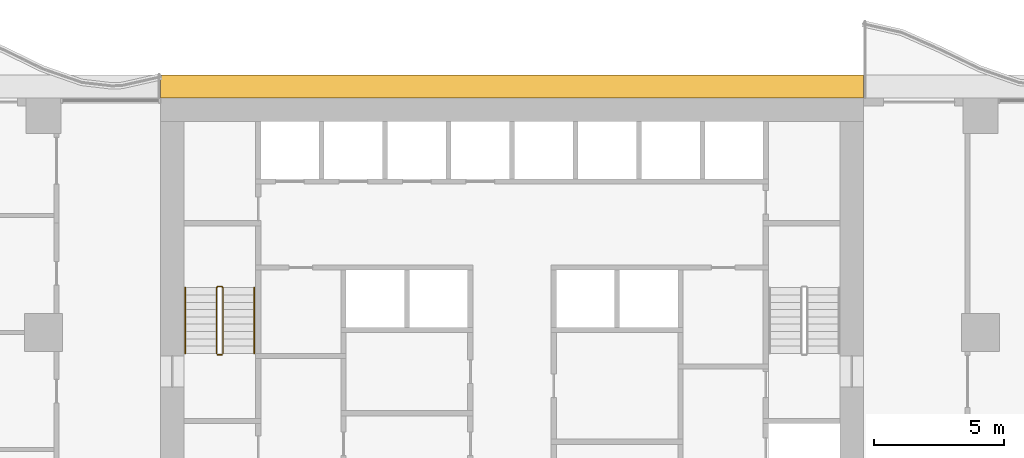
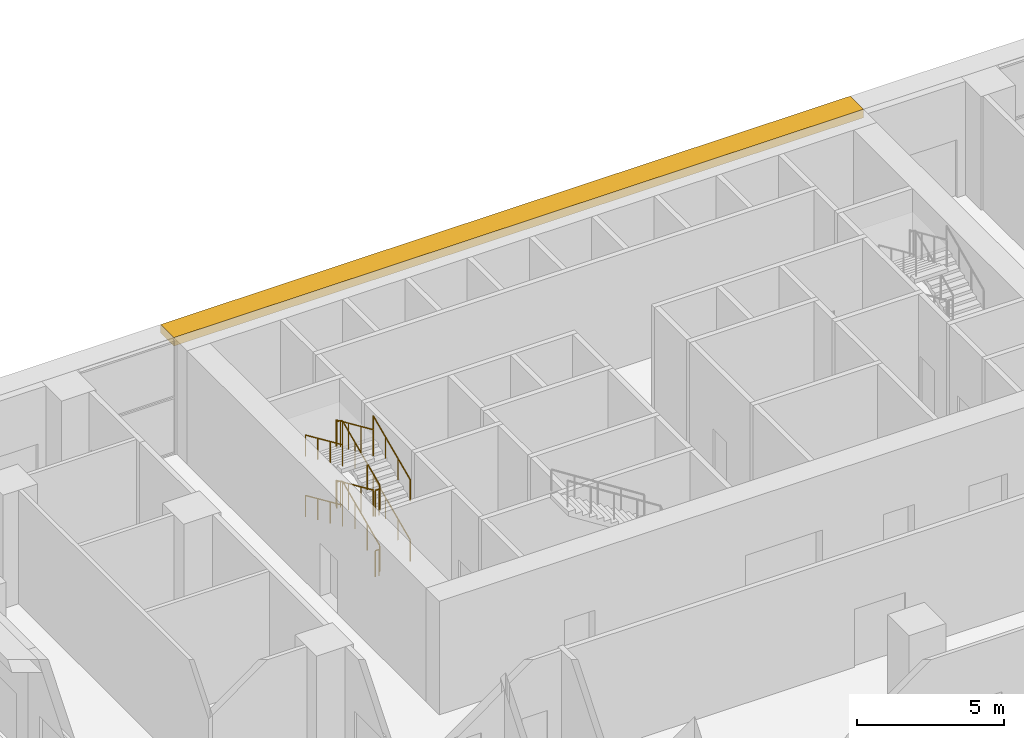
# One storey, part 15 of 18: 8 railings, 1 shading device.
"""IFC4 building model written with IfcOpenShell, lengths in metres."""

from ifc_helpers import new_model, si_unit, direction, frame, origin, origin_2d, place, context, subcontext, project, spatial, polyline, circle, outline, extrude, material, layer, layer_set, type_object, element, save


model = new_model("IFC4")

# Units and contexts
model_context = context("Model", 3, precision=1e-05, world=origin(), true_north=direction((0.0, 1.0)))
body_context = subcontext(model_context, "Body", "Model", "MODEL_VIEW")
ifc_project = project(units=[si_unit("LENGTHUNIT", "METRE"), si_unit("AREAUNIT", "SQUARE_METRE"), si_unit("VOLUMEUNIT", "CUBIC_METRE"), si_unit("PLANEANGLEUNIT", "RADIAN"), si_unit("MASSUNIT", "GRAM", prefix="KILO")], contexts=[model_context])

# Site, building, storey
site_placement = place(None, origin())
site = spatial("IfcSite", under=ifc_project, at=site_placement, CompositionType="ELEMENT")
building_placement = place(site_placement, origin())
building = spatial("IfcBuilding", under=site, at=building_placement, Name="Orbiselva Terraces", CompositionType="ELEMENT")
storey_placement = place(building_placement, frame((0.0, 0.0, 64.4)))
storey = spatial("IfcBuildingStorey", under=building, at=storey_placement, Name="L16", CompositionType="ELEMENT", Elevation=64.4)

# Railings
ifc_material_1 = material(Name="Stainless steel", Category="steel")
railing_type_1 = type_object("IfcRailingType", Name="CORE-GUARD-1100", PredefinedType="GUARDRAIL", material=ifc_material_1)
railing_1_placement = place(storey_placement, frame((-11.1, 12.7, 0.125)))
element("IfcRailing", 1, at=railing_1_placement, inside=storey, type_object=railing_type_1, Name="L16 S1 stair guard 1", PredefinedType="GUARDRAIL", context=body_context, shape_type="SweptSolid", body=[
    extrude(circle(Radius=0.024, at=origin_2d()), frame((0.0, 0.0, 1.081), z_axis=(0.0, 0.913137882438, 0.407650840374), x_axis=(-1.0, 0.0, 0.0)), (0.0, 0.0, 1.0), 2.759715),
    extrude(circle(Radius=0.024, at=origin_2d()), frame((0.0, 2.52, 2.206), z_axis=(-0.707106781187, 0.707106781187, 0.0), x_axis=(-0.707106781187, -0.707106781187, 0.0)), (0.0, 0.0, 1.0), 0.070711),
    extrude(circle(Radius=0.024, at=origin_2d()), frame((-0.05, 2.57, 2.206), z_axis=(-1.0, 0.0, 0.0), x_axis=(0.0, -1.0, 0.0)), (0.0, 0.0, 1.0), 0.15),
    extrude(circle(Radius=0.024, at=origin_2d()), frame((-0.2, 2.57, 2.206), z_axis=(-0.348155311911, -0.348155311911, 0.870388279778), x_axis=(0.707106781187, -0.707106781187, 0.0)), (0.0, 0.0, 1.0), 0.143614),
    extrude(circle(Radius=0.024, at=origin_2d()), frame((-0.25, 2.52, 2.331), z_axis=(0.0, -0.913137882438, 0.407650840374), x_axis=(1.0, 0.0, 0.0)), (0.0, 0.0, 1.0), 2.759715),
    extrude(circle(Radius=0.021, at=origin_2d()), origin(), (0.0, 0.0, 1.0), 1.057),
    extrude(circle(Radius=0.021, at=origin_2d()), frame((0.0, 0.84, 0.375)), (0.0, 0.0, 1.0), 1.057),
    extrude(circle(Radius=0.021, at=origin_2d()), frame((0.0, 1.68, 0.75)), (0.0, 0.0, 1.0), 1.057),
    extrude(circle(Radius=0.021, at=origin_2d()), frame((0.0, 2.52, 1.125)), (0.0, 0.0, 1.0), 1.057),
    extrude(circle(Radius=0.021, at=origin_2d()), frame((-0.05, 2.57, 1.125)), (0.0, 0.0, 1.0), 1.057),
    extrude(circle(Radius=0.021, at=origin_2d()), frame((-0.2, 2.57, 1.125)), (0.0, 0.0, 1.0), 1.057),
    extrude(circle(Radius=0.021, at=origin_2d()), frame((-0.25, 2.52, 1.25)), (0.0, 0.0, 1.0), 1.057),
    extrude(circle(Radius=0.021, at=origin_2d()), frame((-0.25, 1.68, 1.625)), (0.0, 0.0, 1.0), 1.057),
    extrude(circle(Radius=0.021, at=origin_2d()), frame((-0.25, 0.84, 2.0)), (0.0, 0.0, 1.0), 1.057),
    extrude(circle(Radius=0.021, at=origin_2d()), frame((-0.25, 0.0, 2.375)), (0.0, 0.0, 1.0), 1.057),
])
railing_2_placement = place(storey_placement, frame((-11.15, 12.65, 2.5)))
element("IfcRailing", 2, at=railing_2_placement, inside=storey, type_object=railing_type_1, Name="L16 S1 stair guard 2", PredefinedType="GUARDRAIL", context=body_context, shape_type="SweptSolid", body=[
    extrude(circle(Radius=0.024, at=origin_2d()), frame((0.0, 0.0, 1.081), z_axis=(-1.0, 0.0, 0.0), x_axis=(0.0, -1.0, 0.0)), (0.0, 0.0, 1.0), 0.15),
    extrude(circle(Radius=0.021, at=origin_2d()), origin(), (0.0, 0.0, 1.0), 1.057),
    extrude(circle(Radius=0.021, at=origin_2d()), frame((-0.15, 0.0, 0.0)), (0.0, 0.0, 1.0), 1.057),
])
railing_3_placement = place(storey_placement, frame((-11.1, 12.7, 2.625)))
element("IfcRailing", 3, at=railing_3_placement, inside=storey, type_object=railing_type_1, Name="L16 S1 stair guard 3", PredefinedType="GUARDRAIL", context=body_context, shape_type="SweptSolid", body=[
    extrude(circle(Radius=0.024, at=origin_2d()), frame((0.0, 0.0, 1.081), z_axis=(0.0, 0.913137882438, 0.407650840374), x_axis=(-1.0, 0.0, 0.0)), (0.0, 0.0, 1.0), 2.759715),
    extrude(circle(Radius=0.024, at=origin_2d()), frame((0.0, 2.52, 2.206), z_axis=(-0.707106781187, 0.707106781187, 0.0), x_axis=(-0.707106781187, -0.707106781187, 0.0)), (0.0, 0.0, 1.0), 0.070711),
    extrude(circle(Radius=0.024, at=origin_2d()), frame((-0.05, 2.57, 2.206), z_axis=(-1.0, 0.0, 0.0), x_axis=(0.0, -1.0, 0.0)), (0.0, 0.0, 1.0), 0.15),
    extrude(circle(Radius=0.024, at=origin_2d()), frame((-0.2, 2.57, 2.206), z_axis=(-0.348155311911, -0.348155311911, 0.870388279778), x_axis=(0.707106781187, -0.707106781187, 0.0)), (0.0, 0.0, 1.0), 0.143614),
    extrude(circle(Radius=0.024, at=origin_2d()), frame((-0.25, 2.52, 2.331), z_axis=(0.0, -0.913137882438, 0.407650840374), x_axis=(1.0, 0.0, 0.0)), (0.0, 0.0, 1.0), 2.759715),
    extrude(circle(Radius=0.021, at=origin_2d()), origin(), (0.0, 0.0, 1.0), 1.057),
    extrude(circle(Radius=0.021, at=origin_2d()), frame((0.0, 0.84, 0.375)), (0.0, 0.0, 1.0), 1.057),
    extrude(circle(Radius=0.021, at=origin_2d()), frame((0.0, 1.68, 0.75)), (0.0, 0.0, 1.0), 1.057),
    extrude(circle(Radius=0.021, at=origin_2d()), frame((0.0, 2.52, 1.125)), (0.0, 0.0, 1.0), 1.057),
    extrude(circle(Radius=0.021, at=origin_2d()), frame((-0.05, 2.57, 1.125)), (0.0, 0.0, 1.0), 1.057),
    extrude(circle(Radius=0.021, at=origin_2d()), frame((-0.2, 2.57, 1.125)), (0.0, 0.0, 1.0), 1.057),
    extrude(circle(Radius=0.021, at=origin_2d()), frame((-0.25, 2.52, 1.25)), (0.0, 0.0, 1.0), 1.057),
    extrude(circle(Radius=0.021, at=origin_2d()), frame((-0.25, 1.68, 1.625)), (0.0, 0.0, 1.0), 1.057),
    extrude(circle(Radius=0.021, at=origin_2d()), frame((-0.25, 0.84, 2.0)), (0.0, 0.0, 1.0), 1.057),
    extrude(circle(Radius=0.021, at=origin_2d()), frame((-0.25, 0.0, 2.375)), (0.0, 0.0, 1.0), 1.057),
])
railing_4_placement = place(storey_placement, frame((-11.15, 12.65, 0.0)))
element("IfcRailing", 4, at=railing_4_placement, inside=storey, type_object=railing_type_1, Name="L16 S1 stair guard 4", PredefinedType="GUARDRAIL", context=body_context, shape_type="SweptSolid", body=[
    extrude(circle(Radius=0.024, at=origin_2d()), frame((0.0, 0.0, 1.081), z_axis=(-1.0, 0.0, 0.0), x_axis=(0.0, -1.0, 0.0)), (0.0, 0.0, 1.0), 0.15),
    extrude(circle(Radius=0.021, at=origin_2d()), origin(), (0.0, 0.0, 1.0), 1.057),
    extrude(circle(Radius=0.021, at=origin_2d()), frame((-0.15, 0.0, 0.0)), (0.0, 0.0, 1.0), 1.057),
])
railing_type_2 = type_object("IfcRailingType", Name="CORE-HANDRAIL-900", PredefinedType="HANDRAIL", material=ifc_material_1)
railing_5_placement = place(storey_placement, frame((-9.9, 12.7, 0.125)))
element("IfcRailing", 5, at=railing_5_placement, inside=storey, type_object=railing_type_2, Name="L16 S1 stair handrail 1", PredefinedType="HANDRAIL", context=body_context, shape_type="SweptSolid", body=[
    extrude(circle(Radius=0.024, at=origin_2d()), frame((0.0, 0.0, 0.876), z_axis=(0.0, 0.913137882438, 0.407650840374), x_axis=(-1.0, 0.0, 0.0)), (0.0, 0.0, 1.0), 2.759715),
    extrude(circle(Radius=0.021, at=origin_2d()), origin(), (0.0, 0.0, 1.0), 0.852),
    extrude(circle(Radius=0.021, at=origin_2d()), frame((0.0, 0.84, 0.375)), (0.0, 0.0, 1.0), 0.852),
    extrude(circle(Radius=0.021, at=origin_2d()), frame((0.0, 1.68, 0.75)), (0.0, 0.0, 1.0), 0.852),
    extrude(circle(Radius=0.021, at=origin_2d()), frame((0.0, 2.52, 1.125)), (0.0, 0.0, 1.0), 0.852),
])
railing_6_placement = place(storey_placement, frame((-12.55, 15.22, 1.375)))
element("IfcRailing", 6, at=railing_6_placement, inside=storey, type_object=railing_type_2, Name="L16 S1 stair handrail 2", PredefinedType="HANDRAIL", context=body_context, shape_type="SweptSolid", body=[
    extrude(circle(Radius=0.024, at=origin_2d()), frame((0.0, 0.0, 0.876), z_axis=(0.0, -0.913137882438, 0.407650840374), x_axis=(1.0, 0.0, 0.0)), (0.0, 0.0, 1.0), 2.759715),
    extrude(circle(Radius=0.021, at=origin_2d()), origin(), (0.0, 0.0, 1.0), 0.852),
    extrude(circle(Radius=0.021, at=origin_2d()), frame((0.0, -0.84, 0.375)), (0.0, 0.0, 1.0), 0.852),
    extrude(circle(Radius=0.021, at=origin_2d()), frame((0.0, -1.68, 0.75)), (0.0, 0.0, 1.0), 0.852),
    extrude(circle(Radius=0.021, at=origin_2d()), frame((0.0, -2.52, 1.125)), (0.0, 0.0, 1.0), 0.852),
])
railing_7_placement = place(storey_placement, frame((-9.9, 12.7, 2.625)))
element("IfcRailing", 7, at=railing_7_placement, inside=storey, type_object=railing_type_2, Name="L16 S1 stair handrail 3", PredefinedType="HANDRAIL", context=body_context, shape_type="SweptSolid", body=[
    extrude(circle(Radius=0.024, at=origin_2d()), frame((0.0, 0.0, 0.876), z_axis=(0.0, 0.913137882438, 0.407650840374), x_axis=(-1.0, 0.0, 0.0)), (0.0, 0.0, 1.0), 2.759715),
    extrude(circle(Radius=0.021, at=origin_2d()), origin(), (0.0, 0.0, 1.0), 0.852),
    extrude(circle(Radius=0.021, at=origin_2d()), frame((0.0, 0.84, 0.375)), (0.0, 0.0, 1.0), 0.852),
    extrude(circle(Radius=0.021, at=origin_2d()), frame((0.0, 1.68, 0.75)), (0.0, 0.0, 1.0), 0.852),
    extrude(circle(Radius=0.021, at=origin_2d()), frame((0.0, 2.52, 1.125)), (0.0, 0.0, 1.0), 0.852),
])
railing_8_placement = place(storey_placement, frame((-12.55, 15.22, 3.875)))
element("IfcRailing", 8, at=railing_8_placement, inside=storey, type_object=railing_type_2, Name="L16 S1 stair handrail 4", PredefinedType="HANDRAIL", context=body_context, shape_type="SweptSolid", body=[
    extrude(circle(Radius=0.024, at=origin_2d()), frame((0.0, 0.0, 0.876), z_axis=(0.0, -0.913137882438, 0.407650840374), x_axis=(1.0, 0.0, 0.0)), (0.0, 0.0, 1.0), 2.759715),
    extrude(circle(Radius=0.021, at=origin_2d()), origin(), (0.0, 0.0, 1.0), 0.852),
    extrude(circle(Radius=0.021, at=origin_2d()), frame((0.0, -0.84, 0.375)), (0.0, 0.0, 1.0), 0.852),
    extrude(circle(Radius=0.021, at=origin_2d()), frame((0.0, -1.68, 0.75)), (0.0, 0.0, 1.0), 0.852),
    extrude(circle(Radius=0.021, at=origin_2d()), frame((0.0, -2.52, 1.125)), (0.0, 0.0, 1.0), 0.852),
])

# Shading device
ifc_material_2 = material(Name="Terracotta baguette sunshade", Category="masonry")
ifc_layer = layer(ifc_material_2, 0.35)
ifc_layer_set = layer_set([ifc_layer], Name="Terracotta baguette sunshade")
shading_device_type = type_object("IfcShadingDeviceType", Name="ENV-SUNSHADE-900x350", PredefinedType="USERDEFINED", material=ifc_layer_set)
shading_device_placement = place(storey_placement, frame((0.0, 0.0, 4.35)))
element("IfcShadingDevice", 9, at=shading_device_placement, inside=storey, type_object=shading_device_type, Name="Sunshade band L16 CORE NORTH", ObjectType="SUNSHADE", PredefinedType="USERDEFINED", context=body_context, shape_type="SweptSolid", body=[
    extrude(outline(polyline([(13.5, 23.4), (-13.5, 23.4), (-13.5, 22.5), (13.5, 22.5), (13.5, 23.4)])), origin(), (0.0, 0.0, 1.0), 0.35),
])

save(model, "model.ifc")
